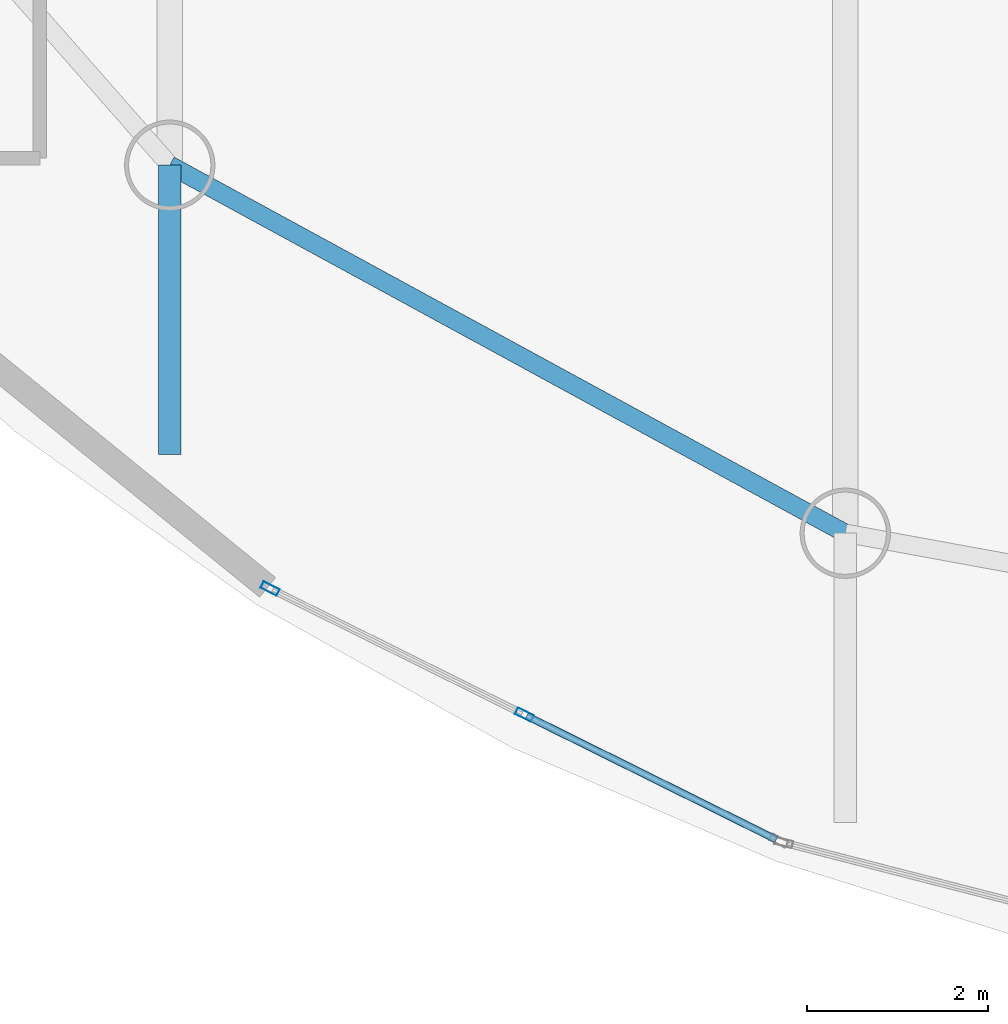
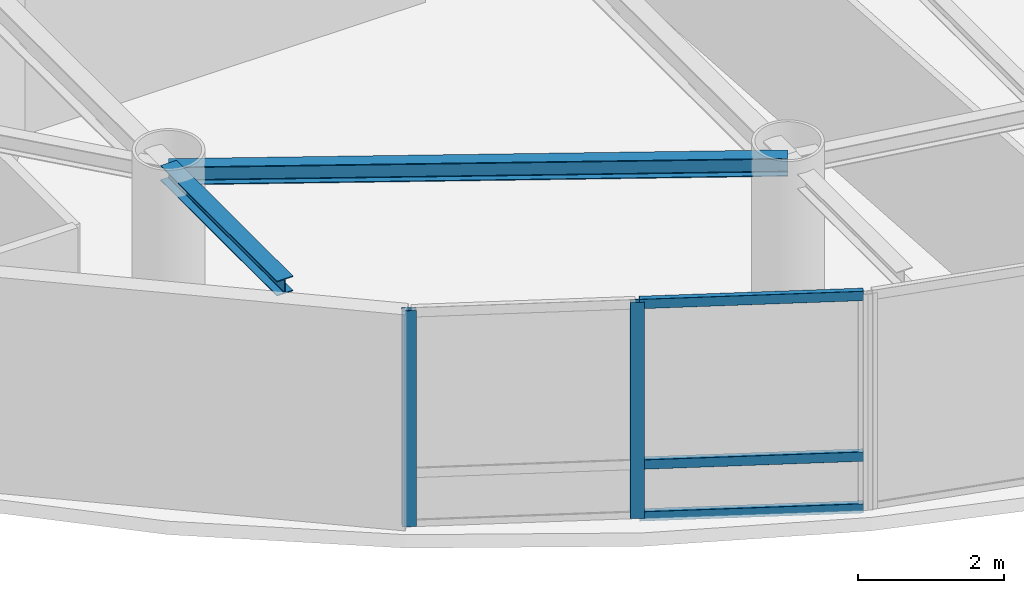
# One storey, part 2 of 17: 5 members, 2 beams, 1 element without a shape of its own.
"""IFC4 building model written with IfcOpenShell, lengths in metres."""

from ifc_helpers import new_model, si_unit, direction, frame, origin, origin_2d, place, context, subcontext, project, spatial, hollow_rectangle, i_section, extrude, material, layer, layer_set, material_profile, profile_set, type_object, element, aggregate, save


model = new_model("IFC4")

# Units and contexts
model_context = context("Model", 3, precision=1e-05, world=origin(), true_north=direction((0.0, 1.0)))
body_context = subcontext(model_context, "Body", "Model", "MODEL_VIEW")
ifc_project = project(units=[si_unit("LENGTHUNIT", "METRE"), si_unit("AREAUNIT", "SQUARE_METRE"), si_unit("VOLUMEUNIT", "CUBIC_METRE"), si_unit("PLANEANGLEUNIT", "RADIAN"), si_unit("MASSUNIT", "GRAM", prefix="KILO")], contexts=[model_context])

# Site, building, storey
site_placement = place(None, origin())
site = spatial("IfcSite", under=ifc_project, at=site_placement, CompositionType="ELEMENT")
building_placement = place(site_placement, origin())
building = spatial("IfcBuilding", under=site, at=building_placement, Name="Bramvorn Convention Spire", CompositionType="ELEMENT")
storey_placement = place(building_placement, frame((0.0, 0.0, 280.550048828125)))
storey = spatial("IfcBuildingStorey", under=building, at=storey_placement, Name="L71", CompositionType="ELEMENT", Elevation=280.550048828125)

# Beams
ifc_material_1 = material(Name="Steel CSA G40.21 Grade 350 (350W)", Category="steel")
ifc_material_profile_1 = material_profile(ifc_material_1, i_section(OverallWidth=0.25390625, OverallDepth=0.2529296875, WebThickness=0.008544921875, FlangeThickness=0.01416015625, FilletRadius=0.011962890625, at=origin_2d()))
ifc_profile_set_1 = profile_set([ifc_material_profile_1], Name="Steel CSA G40.21 Grade 350 (350W) - W250X73")
beam_type_1 = type_object("IfcBeamType", Name="BM-W250X73", PredefinedType="BEAM", material=ifc_profile_set_1)
beam_1_placement = place(storey_placement, frame((28.337646484375, 10.523193359375, 3.49853515625), z_axis=(0.0, -1.0, 0.0), x_axis=(1.0, 0.0, 0.0)))
element("IfcBeam", 1, at=beam_1_placement, inside=storey, type_object=beam_type_1, Name="L71 slab-edge cantilever tip beam MC14", PredefinedType="BEAM", context=body_context, shape_type="SweptSolid", body=[
    extrude(i_section(OverallWidth=0.25390625, OverallDepth=0.2529296875, WebThickness=0.008544921875, FlangeThickness=0.01416015625, FilletRadius=0.011962890625, at=origin_2d()), origin(), (0.0, 0.0, 1.0), 3.199951171875),
])
ifc_material_profile_2 = material_profile(ifc_material_1, i_section(OverallWidth=0.202880859375, OverallDepth=0.302978515625, WebThickness=0.007568359375, FlangeThickness=0.01318359375, FilletRadius=0.013916015625, at=origin_2d()))
ifc_profile_set_2 = profile_set([ifc_material_profile_2], Name="Steel CSA G40.21 Grade 350 (350W) - W310X60")
beam_type_2 = type_object("IfcBeamType", Name="BM-W310X60", PredefinedType="JOIST", material=ifc_profile_set_2)
beam_2_placement = place(storey_placement, frame((28.337646484375, 10.523193359375, 3.473388671875), z_axis=(0.878133224771, -0.478416178189, 0.0), x_axis=(0.478416178189, 0.878133224771, 0.0)))
element("IfcBeam", 2, at=beam_2_placement, inside=storey, type_object=beam_type_2, Name="L71 mega-column ring beam 14", PredefinedType="JOIST", context=body_context, shape_type="SweptSolid", body=[
    extrude(i_section(OverallWidth=0.202880859375, OverallDepth=0.302978515625, WebThickness=0.007568359375, FlangeThickness=0.01318359375, FilletRadius=0.013916015625, at=origin_2d()), origin(), (0.0, 0.0, 1.0), 8.515625),
])

# Curtain wall, members
ifc_material_2 = material(Name="Anodised Bronze Unitised Curtain Wall", Category="aluminium")
ifc_layer = layer(ifc_material_2, 0.179931640625)
ifc_layer_set = layer_set([ifc_layer], Name="Anodised Bronze Unitised Curtain Wall - CW-OFF-FRIT")
curtain_wall_type = type_object("IfcCurtainWallType", Name="CW-OFF-FRIT", PredefinedType="USERDEFINED", material=ifc_layer_set)
curtain_wall_placement = place(storey_placement, origin())
curtain_wall = element("IfcCurtainWall", 3, at=curtain_wall_placement, inside=storey, type_object=curtain_wall_type, Name="L71 fritted glass curtain wall 21", ObjectType="UNITISED CURTAIN WALL", PredefinedType="USERDEFINED")
ifc_material_3 = material(Name="Anodised Bronze Aluminium 6063-T6", Category="aluminium")
ifc_material_profile_3 = material_profile(ifc_material_3, hollow_rectangle(XDim=0.080078125, YDim=0.199951171875, WallThickness=0.00390625, InnerFilletRadius=0.0009765625, OuterFilletRadius=0.00390625, at=origin_2d()))
ifc_profile_set_3 = profile_set([ifc_material_profile_3], Name="Anodised Bronze Aluminium 6063-T6 - CWM80X200")
member_type_1 = type_object("IfcMemberType", Name="CW-MUL-180", PredefinedType="MULLION", material=ifc_profile_set_3)
member_1_placement = place(storey_placement, frame((32.263671875, 4.440185546875, 0.0), z_axis=(0.0, 0.0, 1.0), x_axis=(-0.444191459108, -0.895931887844, 0.0)))
member_1 = element("IfcMember", 4, at=member_1_placement, type_object=member_type_1, Name="CW3 mullion 2", PredefinedType="MULLION", context=body_context, shape_type="SweptSolid", body=[
    extrude(hollow_rectangle(XDim=0.080078125, YDim=0.199951171875, WallThickness=0.00390625, InnerFilletRadius=0.0009765625, OuterFilletRadius=0.00390625, at=origin_2d()), origin(), (0.0, 0.0, 1.0), 3.625),
])
member_2_placement = place(storey_placement, frame((29.447998046875, 5.836181640625, 0.0), z_axis=(0.0, 0.0, 1.0), x_axis=(-0.444191459108, -0.895931887844, 0.0)))
member_2 = element("IfcMember", 5, at=member_2_placement, type_object=member_type_1, Name="CW3 mullion 3", PredefinedType="MULLION", context=body_context, shape_type="SweptSolid", body=[
    extrude(hollow_rectangle(XDim=0.080078125, YDim=0.199951171875, WallThickness=0.00390625, InnerFilletRadius=0.0009765625, OuterFilletRadius=0.00390625, at=origin_2d()), origin(), (0.0, 0.0, 1.0), 3.625),
])
ifc_material_profile_4 = material_profile(ifc_material_3, hollow_rectangle(XDim=0.080078125, YDim=0.159912109375, WallThickness=0.00390625, InnerFilletRadius=0.0009765625, OuterFilletRadius=0.00390625, at=origin_2d()))
ifc_profile_set_4 = profile_set([ifc_material_profile_4], Name="Anodised Bronze Aluminium 6063-T6 - CWT80X160")
member_type_2 = type_object("IfcMemberType", Name="CW-TRN-150", PredefinedType="USERDEFINED", material=ifc_profile_set_4)
member_3_placement = place(storey_placement, frame((35.05224609375, 3.0576171875, 0.030029296875), z_axis=(-0.895942714898, 0.444169620328, 0.0), x_axis=(-0.444169620328, -0.895942714898, 0.0)))
member_3 = element("IfcMember", 6, at=member_3_placement, type_object=member_type_2, Name="CW3 transom 1.1", ObjectType="TRANSOM", PredefinedType="USERDEFINED", context=body_context, shape_type="SweptSolid", body=[
    extrude(hollow_rectangle(XDim=0.080078125, YDim=0.159912109375, WallThickness=0.00390625, InnerFilletRadius=0.0009765625, OuterFilletRadius=0.00390625, at=origin_2d()), origin(), (0.0, 0.0, 1.0), 3.08251953125),
])
member_4_placement = place(storey_placement, frame((35.05224609375, 3.0576171875, 0.89990234375), z_axis=(-0.895942714898, 0.444169620328, 0.0), x_axis=(-0.444169620328, -0.895942714898, 0.0)))
member_4 = element("IfcMember", 7, at=member_4_placement, type_object=member_type_2, Name="CW3 transom 1.2", ObjectType="TRANSOM", PredefinedType="USERDEFINED", context=body_context, shape_type="SweptSolid", body=[
    extrude(hollow_rectangle(XDim=0.080078125, YDim=0.159912109375, WallThickness=0.00390625, InnerFilletRadius=0.0009765625, OuterFilletRadius=0.00390625, at=origin_2d()), origin(), (0.0, 0.0, 1.0), 3.08251953125),
])
member_5_placement = place(storey_placement, frame((35.05224609375, 3.0576171875, 3.594970703125), z_axis=(-0.895942714898, 0.444169620328, 0.0), x_axis=(-0.444169620328, -0.895942714898, 0.0)))
member_5 = element("IfcMember", 8, at=member_5_placement, type_object=member_type_2, Name="CW3 transom 1.3", ObjectType="TRANSOM", PredefinedType="USERDEFINED", context=body_context, shape_type="SweptSolid", body=[
    extrude(hollow_rectangle(XDim=0.080078125, YDim=0.159912109375, WallThickness=0.00390625, InnerFilletRadius=0.0009765625, OuterFilletRadius=0.00390625, at=origin_2d()), origin(), (0.0, 0.0, 1.0), 3.08251953125),
])
aggregate(curtain_wall, [member_1, member_2, member_3, member_4, member_5])

save(model, "model.ifc")
